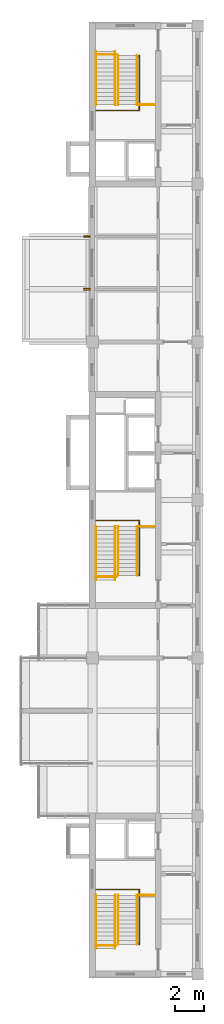
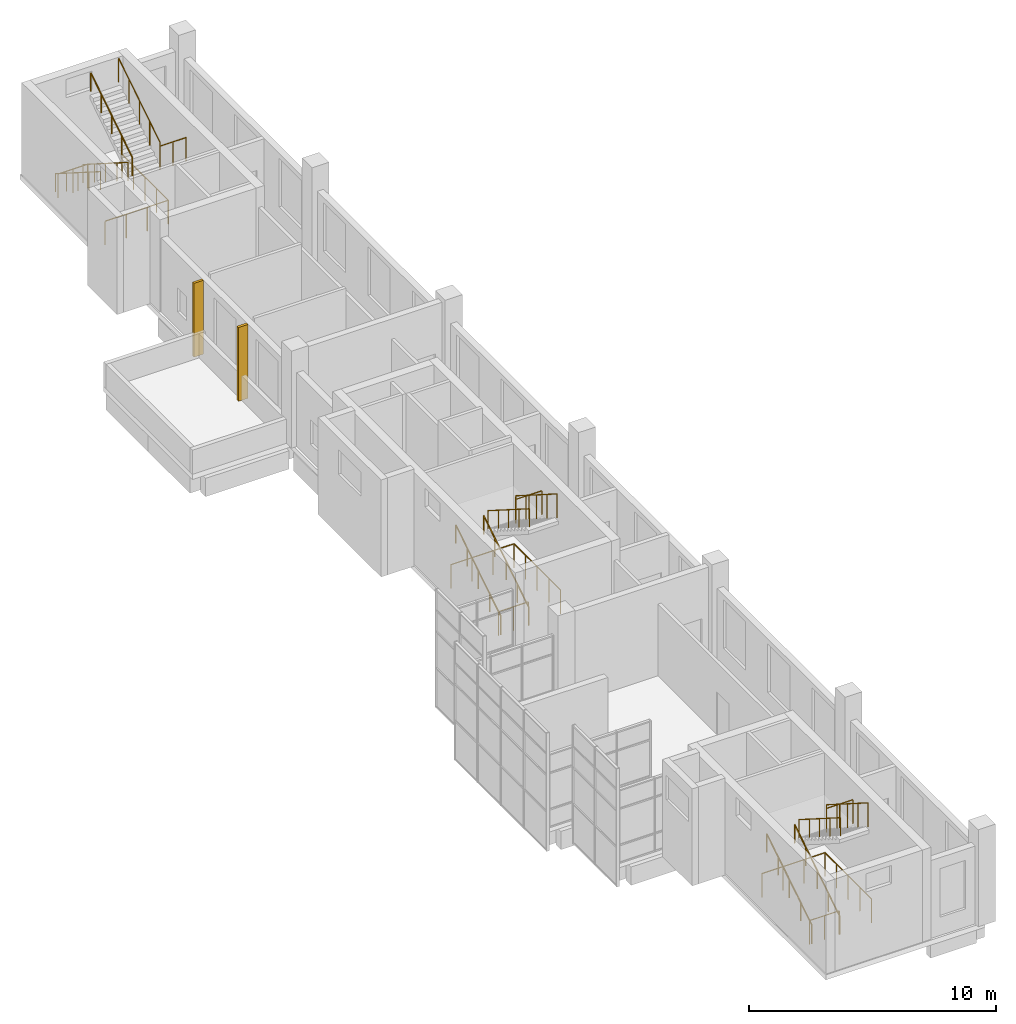
# One storey, part 9 of 9: 21 railings, 2 shading devices.
"""IFC4 building model written with IfcOpenShell, lengths in metres."""

from ifc_helpers import new_model, si_unit, direction, frame, origin, origin_2d, place, context, subcontext, project, spatial, rectangle, circle, extrude, material, type_object, element, save


model = new_model("IFC4")

# Units and contexts
model_context = context("Model", 3, precision=1e-05, world=origin(), true_north=direction((0.0, 1.0)))
body_context = subcontext(model_context, "Body", "Model", "MODEL_VIEW")
ifc_project = project(units=[si_unit("LENGTHUNIT", "METRE"), si_unit("AREAUNIT", "SQUARE_METRE"), si_unit("VOLUMEUNIT", "CUBIC_METRE"), si_unit("PLANEANGLEUNIT", "RADIAN"), si_unit("MASSUNIT", "GRAM", prefix="KILO")], contexts=[model_context])

# Site, building, storey
site_placement = place(None, origin())
site = spatial("IfcSite", under=ifc_project, at=site_placement, CompositionType="ELEMENT")
building_placement = place(site_placement, origin())
building = spatial("IfcBuilding", under=site, at=building_placement, Name="Basin Gate Institute", CompositionType="ELEMENT")
storey_placement = place(building_placement, frame((0.0, 0.0, 70.199951171875)))
storey = spatial("IfcBuildingStorey", under=building, at=storey_placement, Name="L14", CompositionType="ELEMENT", Elevation=70.199951171875)

# Shading devices
ifc_material_1 = material(Name="Anodised aluminium", Category="aluminium")
shading_device_type = type_object("IfcShadingDeviceType", Name="Brise-soleil fin FN1", PredefinedType="USERDEFINED", material=ifc_material_1)
for number, where, z_axis, x_axis, name in (
    (1, (60.824951171875, 81.89990234375, 0.0), (0.0, 0.0, 1.0), (1.0, 0.0, 0.0), "Brise-soleil fin FN1 W facade L14 line 14"),
    (2, (60.824951171875, 85.5, 0.0), (0.0, 0.0, 1.0), (1.0, 0.0, 0.0), "Brise-soleil fin FN1 W facade L14 line 15"),
):
    element("IfcShadingDevice", number, at=place(storey_placement, frame(where, z_axis=z_axis, x_axis=x_axis)), inside=storey, type_object=shading_device_type, material=ifc_material_1, Name=name, ObjectType="FIN", PredefinedType="USERDEFINED", context=body_context, shape_type="SweptSolid", body=[
        extrude(rectangle(XDim=0.449951171875, YDim=0.1201171875, at=origin_2d()), origin(), (0.0, 0.0, 1.0), 3.64990234375),
    ])

# Railings
ifc_material_2 = material(Name="Stainless steel", Category="steel")
railing_type_1 = type_object("IfcRailingType", Name="Stair guard GR2", PredefinedType="GUARDRAIL", material=ifc_material_2)
railing_1_placement = place(storey_placement, frame((64.39990234375, 37.1298828125, 0.0)))
element("IfcRailing", 3, at=railing_1_placement, inside=storey, type_object=railing_type_1, material=ifc_material_2, Name="Stair guard GR2 WS GD3-L13", PredefinedType="GUARDRAIL", context=body_context, shape_type="SweptSolid", body=[
    extrude(circle(Radius=0.02392578125, at=origin_2d()), frame((0.0, 0.0, 1.17578125), z_axis=(0.0, 1.0, 0.0), x_axis=(-1.0, 0.0, 0.0)), (0.0, 0.0, 1.0), 3.760009765625),
    extrude(circle(Radius=0.02392578125, at=origin_2d()), frame((0.0, 3.760009765625, 1.17578125), z_axis=(-1.0, 0.0, 0.0), x_axis=(0.0, -1.0, 0.0)), (0.0, 0.0, 1.0), 2.949951171875),
    extrude(circle(Radius=0.02099609375, at=origin_2d()), origin(), (0.0, 0.0, 1.0), 1.15185546875),
    extrude(circle(Radius=0.02099609375, at=origin_2d()), frame((0.0, 0.93994140625, 0.0)), (0.0, 0.0, 1.0), 1.15185546875),
    extrude(circle(Radius=0.02099609375, at=origin_2d()), frame((0.0, 1.8798828125, 0.0)), (0.0, 0.0, 1.0), 1.15185546875),
    extrude(circle(Radius=0.02099609375, at=origin_2d()), frame((0.0, 2.820068359375, 0.0)), (0.0, 0.0, 1.0), 1.15185546875),
    extrude(circle(Radius=0.02099609375, at=origin_2d()), frame((0.0, 3.760009765625, 0.0)), (0.0, 0.0, 1.0), 1.15185546875),
    extrude(circle(Radius=0.02099609375, at=origin_2d()), frame((-0.9833984375, 3.760009765625, 0.0)), (0.0, 0.0, 1.0), 1.15185546875),
    extrude(circle(Radius=0.02099609375, at=origin_2d()), frame((-1.966552734375, 3.760009765625, 0.0)), (0.0, 0.0, 1.0), 1.15185546875),
    extrude(circle(Radius=0.02099609375, at=origin_2d()), frame((-2.949951171875, 3.760009765625, 0.0)), (0.0, 0.0, 1.0), 1.15185546875),
])
railing_2_placement = place(storey_placement, frame((61.449951171875, 37.050048828125, 0.0)))
element("IfcRailing", 4, at=railing_2_placement, inside=storey, type_object=railing_type_1, material=ifc_material_2, Name="Stair guard GR2 WS GD4-L13", PredefinedType="GUARDRAIL", context=body_context, shape_type="SweptSolid", body=[
    extrude(circle(Radius=0.02392578125, at=origin_2d()), frame((0.0, 0.0, 1.17578125), z_axis=(1.0, 0.0, 0.0), x_axis=(0.0, 1.0, 0.0)), (0.0, 0.0, 1.0), 1.400146484375),
    extrude(circle(Radius=0.02099609375, at=origin_2d()), origin(), (0.0, 0.0, 1.0), 1.15185546875),
    extrude(circle(Radius=0.02099609375, at=origin_2d()), frame((0.7001953125, 0.0, 0.0)), (0.0, 0.0, 1.0), 1.15185546875),
    extrude(circle(Radius=0.02099609375, at=origin_2d()), frame((1.400146484375, 0.0, 0.0)), (0.0, 0.0, 1.0), 1.15185546875),
])
railing_3_placement = place(storey_placement, frame((64.39990234375, 62.330078125, 0.0)))
element("IfcRailing", 5, at=railing_3_placement, inside=storey, type_object=railing_type_1, material=ifc_material_2, Name="Stair guard GR2 WM GD3-L13", PredefinedType="GUARDRAIL", context=body_context, shape_type="SweptSolid", body=[
    extrude(circle(Radius=0.02392578125, at=origin_2d()), frame((0.0, 0.0, 1.17578125), z_axis=(0.0, 1.0, 0.0), x_axis=(-1.0, 0.0, 0.0)), (0.0, 0.0, 1.0), 3.760009765625),
    extrude(circle(Radius=0.02392578125, at=origin_2d()), frame((0.0, 3.760009765625, 1.17578125), z_axis=(-1.0, 0.0, 0.0), x_axis=(0.0, -1.0, 0.0)), (0.0, 0.0, 1.0), 2.949951171875),
    extrude(circle(Radius=0.02099609375, at=origin_2d()), origin(), (0.0, 0.0, 1.0), 1.15185546875),
    extrude(circle(Radius=0.02099609375, at=origin_2d()), frame((0.0, 0.93994140625, 0.0)), (0.0, 0.0, 1.0), 1.15185546875),
    extrude(circle(Radius=0.02099609375, at=origin_2d()), frame((0.0, 1.8798828125, 0.0)), (0.0, 0.0, 1.0), 1.15185546875),
    extrude(circle(Radius=0.02099609375, at=origin_2d()), frame((0.0, 2.820068359375, 0.0)), (0.0, 0.0, 1.0), 1.15185546875),
    extrude(circle(Radius=0.02099609375, at=origin_2d()), frame((0.0, 3.760009765625, 0.0)), (0.0, 0.0, 1.0), 1.15185546875),
    extrude(circle(Radius=0.02099609375, at=origin_2d()), frame((-0.9833984375, 3.760009765625, 0.0)), (0.0, 0.0, 1.0), 1.15185546875),
    extrude(circle(Radius=0.02099609375, at=origin_2d()), frame((-1.966552734375, 3.760009765625, 0.0)), (0.0, 0.0, 1.0), 1.15185546875),
    extrude(circle(Radius=0.02099609375, at=origin_2d()), frame((-2.949951171875, 3.760009765625, 0.0)), (0.0, 0.0, 1.0), 1.15185546875),
])
railing_4_placement = place(storey_placement, frame((61.449951171875, 62.25, 0.0)))
element("IfcRailing", 6, at=railing_4_placement, inside=storey, type_object=railing_type_1, material=ifc_material_2, Name="Stair guard GR2 WM GD4-L13", PredefinedType="GUARDRAIL", context=body_context, shape_type="SweptSolid", body=[
    extrude(circle(Radius=0.02392578125, at=origin_2d()), frame((0.0, 0.0, 1.17578125), z_axis=(1.0, 0.0, 0.0), x_axis=(0.0, 1.0, 0.0)), (0.0, 0.0, 1.0), 1.400146484375),
    extrude(circle(Radius=0.02099609375, at=origin_2d()), origin(), (0.0, 0.0, 1.0), 1.15185546875),
    extrude(circle(Radius=0.02099609375, at=origin_2d()), frame((0.7001953125, 0.0, 0.0)), (0.0, 0.0, 1.0), 1.15185546875),
    extrude(circle(Radius=0.02099609375, at=origin_2d()), frame((1.400146484375, 0.0, 0.0)), (0.0, 0.0, 1.0), 1.15185546875),
])
railing_5_placement = place(storey_placement, frame((64.39990234375, 97.8701171875, 0.0)))
element("IfcRailing", 7, at=railing_5_placement, inside=storey, type_object=railing_type_1, material=ifc_material_2, Name="Stair guard GR2 WN GD3-L13", PredefinedType="GUARDRAIL", context=body_context, shape_type="SweptSolid", body=[
    extrude(circle(Radius=0.02392578125, at=origin_2d()), frame((0.0, 0.0, 1.17578125), z_axis=(0.0, -1.0, 0.0), x_axis=(1.0, 0.0, 0.0)), (0.0, 0.0, 1.0), 3.760009765625),
    extrude(circle(Radius=0.02392578125, at=origin_2d()), frame((0.0, -3.760009765625, 1.17578125), z_axis=(-1.0, 0.0, 0.0), x_axis=(0.0, -1.0, 0.0)), (0.0, 0.0, 1.0), 2.949951171875),
    extrude(circle(Radius=0.02099609375, at=origin_2d()), origin(), (0.0, 0.0, 1.0), 1.15185546875),
    extrude(circle(Radius=0.02099609375, at=origin_2d()), frame((0.0, -0.93994140625, 0.0)), (0.0, 0.0, 1.0), 1.15185546875),
    extrude(circle(Radius=0.02099609375, at=origin_2d()), frame((0.0, -1.8798828125, 0.0)), (0.0, 0.0, 1.0), 1.15185546875),
    extrude(circle(Radius=0.02099609375, at=origin_2d()), frame((0.0, -2.820068359375, 0.0)), (0.0, 0.0, 1.0), 1.15185546875),
    extrude(circle(Radius=0.02099609375, at=origin_2d()), frame((0.0, -3.760009765625, 0.0)), (0.0, 0.0, 1.0), 1.15185546875),
    extrude(circle(Radius=0.02099609375, at=origin_2d()), frame((-0.9833984375, -3.760009765625, 0.0)), (0.0, 0.0, 1.0), 1.15185546875),
    extrude(circle(Radius=0.02099609375, at=origin_2d()), frame((-1.966552734375, -3.760009765625, 0.0)), (0.0, 0.0, 1.0), 1.15185546875),
    extrude(circle(Radius=0.02099609375, at=origin_2d()), frame((-2.949951171875, -3.760009765625, 0.0)), (0.0, 0.0, 1.0), 1.15185546875),
])
railing_6_placement = place(storey_placement, frame((61.449951171875, 97.949951171875, 0.0)))
element("IfcRailing", 8, at=railing_6_placement, inside=storey, type_object=railing_type_1, material=ifc_material_2, Name="Stair guard GR2 WN GD4-L13", PredefinedType="GUARDRAIL", context=body_context, shape_type="SweptSolid", body=[
    extrude(circle(Radius=0.02392578125, at=origin_2d()), frame((0.0, 0.0, 1.17578125), z_axis=(1.0, 0.0, 0.0), x_axis=(0.0, 1.0, 0.0)), (0.0, 0.0, 1.0), 1.400146484375),
    extrude(circle(Radius=0.02099609375, at=origin_2d()), origin(), (0.0, 0.0, 1.0), 1.15185546875),
    extrude(circle(Radius=0.02099609375, at=origin_2d()), frame((0.7001953125, 0.0, 0.0)), (0.0, 0.0, 1.0), 1.15185546875),
    extrude(circle(Radius=0.02099609375, at=origin_2d()), frame((1.400146484375, 0.0, 0.0)), (0.0, 0.0, 1.0), 1.15185546875),
])
railing_7_placement = place(storey_placement, frame((64.25, 40.489990234375, 2.666748046875)))
element("IfcRailing", 9, at=railing_7_placement, inside=storey, type_object=railing_type_1, material=ifc_material_2, Name="Stair guard GR2 WS GD1", PredefinedType="GUARDRAIL", context=body_context, shape_type="SweptSolid", body=[
    extrude(circle(Radius=0.02392578125, at=origin_2d()), frame((0.0, 0.0, 1.17578125), z_axis=(0.0, -0.844224270207, 0.535990094679), x_axis=(1.0, 0.0, 0.0)), (0.0, 0.0, 1.0), 3.980224609375),
    extrude(circle(Radius=0.02099609375, at=origin_2d()), origin(), (0.0, 0.0, 1.0), 1.15185546875),
    extrude(circle(Radius=0.02099609375, at=origin_2d()), frame((0.0, -0.840087890625, 0.533203125)), (0.0, 0.0, 1.0), 1.15185546875),
    extrude(circle(Radius=0.02099609375, at=origin_2d()), frame((0.0, -1.68017578125, 1.066650390625)), (0.0, 0.0, 1.0), 1.15185546875),
    extrude(circle(Radius=0.02099609375, at=origin_2d()), frame((0.0, -2.52001953125, 1.60009765625)), (0.0, 0.0, 1.0), 1.15185546875),
    extrude(circle(Radius=0.02099609375, at=origin_2d()), frame((0.0, -3.360107421875, 2.13330078125)), (0.0, 0.0, 1.0), 1.15185546875),
])
railing_8_placement = place(storey_placement, frame((64.25, 40.489990234375, 2.489013671875)))
element("IfcRailing", 10, at=railing_8_placement, inside=storey, type_object=railing_type_1, material=ifc_material_2, Name="Stair guard GR2 WS GD2", PredefinedType="GUARDRAIL", context=body_context, shape_type="SweptSolid", body=[
    extrude(circle(Radius=0.02392578125, at=origin_2d()), frame((0.0, 0.0, 1.17578125), z_axis=(1.0, 0.0, 0.0), x_axis=(0.0, 1.0, 0.0)), (0.0, 0.0, 1.0), 1.219970703125),
    extrude(circle(Radius=0.02099609375, at=origin_2d()), origin(), (0.0, 0.0, 1.0), 1.15185546875),
    extrude(circle(Radius=0.02099609375, at=origin_2d()), frame((0.60986328125, 0.0, 0.0)), (0.0, 0.0, 1.0), 1.15185546875),
    extrude(circle(Radius=0.02099609375, at=origin_2d()), frame((1.219970703125, 0.0, 0.0)), (0.0, 0.0, 1.0), 1.15185546875),
])
railing_9_placement = place(storey_placement, frame((64.25, 65.68994140625, 2.666748046875)))
element("IfcRailing", 11, at=railing_9_placement, inside=storey, type_object=railing_type_1, material=ifc_material_2, Name="Stair guard GR2 WM GD1", PredefinedType="GUARDRAIL", context=body_context, shape_type="SweptSolid", body=[
    extrude(circle(Radius=0.02392578125, at=origin_2d()), frame((0.0, 0.0, 1.17578125), z_axis=(0.0, -0.844206646714, 0.536017851983), x_axis=(1.0, 0.0, 0.0)), (0.0, 0.0, 1.0), 3.97998046875),
    extrude(circle(Radius=0.02099609375, at=origin_2d()), origin(), (0.0, 0.0, 1.0), 1.15185546875),
    extrude(circle(Radius=0.02099609375, at=origin_2d()), frame((0.0, -0.83984375, 0.533203125)), (0.0, 0.0, 1.0), 1.15185546875),
    extrude(circle(Radius=0.02099609375, at=origin_2d()), frame((0.0, -1.679931640625, 1.066650390625)), (0.0, 0.0, 1.0), 1.15185546875),
    extrude(circle(Radius=0.02099609375, at=origin_2d()), frame((0.0, -2.52001953125, 1.60009765625)), (0.0, 0.0, 1.0), 1.15185546875),
    extrude(circle(Radius=0.02099609375, at=origin_2d()), frame((0.0, -3.35986328125, 2.13330078125)), (0.0, 0.0, 1.0), 1.15185546875),
])
railing_10_placement = place(storey_placement, frame((64.25, 65.68994140625, 2.489013671875)))
element("IfcRailing", 12, at=railing_10_placement, inside=storey, type_object=railing_type_1, material=ifc_material_2, Name="Stair guard GR2 WM GD2", PredefinedType="GUARDRAIL", context=body_context, shape_type="SweptSolid", body=[
    extrude(circle(Radius=0.02392578125, at=origin_2d()), frame((0.0, 0.0, 1.17578125), z_axis=(1.0, 0.0, 0.0), x_axis=(0.0, 1.0, 0.0)), (0.0, 0.0, 1.0), 1.219970703125),
    extrude(circle(Radius=0.02099609375, at=origin_2d()), origin(), (0.0, 0.0, 1.0), 1.15185546875),
    extrude(circle(Radius=0.02099609375, at=origin_2d()), frame((0.60986328125, 0.0, 0.0)), (0.0, 0.0, 1.0), 1.15185546875),
    extrude(circle(Radius=0.02099609375, at=origin_2d()), frame((1.219970703125, 0.0, 0.0)), (0.0, 0.0, 1.0), 1.15185546875),
])
railing_11_placement = place(storey_placement, frame((64.25, 94.510009765625, 2.666748046875)))
element("IfcRailing", 13, at=railing_11_placement, inside=storey, type_object=railing_type_1, material=ifc_material_2, Name="Stair guard GR2 WN GD1", PredefinedType="GUARDRAIL", context=body_context, shape_type="SweptSolid", body=[
    extrude(circle(Radius=0.02392578125, at=origin_2d()), frame((0.0, 0.0, 1.17578125), z_axis=(0.0, 0.844224270207, 0.535990094679), x_axis=(-1.0, 0.0, 0.0)), (0.0, 0.0, 1.0), 3.980224609375),
    extrude(circle(Radius=0.02099609375, at=origin_2d()), origin(), (0.0, 0.0, 1.0), 1.15185546875),
    extrude(circle(Radius=0.02099609375, at=origin_2d()), frame((0.0, 0.840087890625, 0.533203125)), (0.0, 0.0, 1.0), 1.15185546875),
    extrude(circle(Radius=0.02099609375, at=origin_2d()), frame((0.0, 1.68017578125, 1.066650390625)), (0.0, 0.0, 1.0), 1.15185546875),
    extrude(circle(Radius=0.02099609375, at=origin_2d()), frame((0.0, 2.52001953125, 1.60009765625)), (0.0, 0.0, 1.0), 1.15185546875),
    extrude(circle(Radius=0.02099609375, at=origin_2d()), frame((0.0, 3.360107421875, 2.13330078125)), (0.0, 0.0, 1.0), 1.15185546875),
])
railing_12_placement = place(storey_placement, frame((64.25, 94.510009765625, 2.489013671875)))
element("IfcRailing", 14, at=railing_12_placement, inside=storey, type_object=railing_type_1, material=ifc_material_2, Name="Stair guard GR2 WN GD2", PredefinedType="GUARDRAIL", context=body_context, shape_type="SweptSolid", body=[
    extrude(circle(Radius=0.02392578125, at=origin_2d()), frame((0.0, 0.0, 1.17578125), z_axis=(1.0, 0.0, 0.0), x_axis=(0.0, 1.0, 0.0)), (0.0, 0.0, 1.0), 1.219970703125),
    extrude(circle(Radius=0.02099609375, at=origin_2d()), origin(), (0.0, 0.0, 1.0), 1.15185546875),
    extrude(circle(Radius=0.02099609375, at=origin_2d()), frame((0.60986328125, 0.0, 0.0)), (0.0, 0.0, 1.0), 1.15185546875),
    extrude(circle(Radius=0.02099609375, at=origin_2d()), frame((1.219970703125, 0.0, 0.0)), (0.0, 0.0, 1.0), 1.15185546875),
])
ifc_material_3 = material(Name="Stainless steel", Category="steel")
railing_type_2 = type_object("IfcRailingType", Name="Stair handrail HR1", PredefinedType="HANDRAIL", material=ifc_material_3)
for number, where, name in (
    (15, (61.449951171875, 36.85009765625, 0.177734375), "Stair handrail HR1 WS HR1"),
    (16, (62.75, 36.85009765625, 0.177734375), "Stair handrail HR1 WS HR2"),
):
    element("IfcRailing", number, at=place(storey_placement, frame(where)), inside=storey, type_object=railing_type_2, material=ifc_material_3, Name=name, PredefinedType="HANDRAIL", context=body_context, shape_type="SweptSolid", body=[
        extrude(circle(Radius=0.02392578125, at=origin_2d()), frame((0.0, 0.0, 0.89599609375), z_axis=(0.0, 0.844188005686, 0.536047209727), x_axis=(-1.0, 0.0, 0.0)), (0.0, 0.0, 1.0), 4.311767578125),
        extrude(circle(Radius=0.02099609375, at=origin_2d()), origin(), (0.0, 0.0, 1.0), 0.871826171875),
        extrude(circle(Radius=0.02099609375, at=origin_2d()), frame((0.0, 0.909912109375, 0.577880859375)), (0.0, 0.0, 1.0), 0.871826171875),
        extrude(circle(Radius=0.02099609375, at=origin_2d()), frame((0.0, 1.81982421875, 1.15576171875)), (0.0, 0.0, 1.0), 0.871826171875),
        extrude(circle(Radius=0.02099609375, at=origin_2d()), frame((0.0, 2.72998046875, 1.7333984375)), (0.0, 0.0, 1.0), 0.871826171875),
        extrude(circle(Radius=0.02099609375, at=origin_2d()), frame((0.0, 3.639892578125, 2.311279296875)), (0.0, 0.0, 1.0), 0.871826171875),
    ])
railing_13_placement = place(storey_placement, frame((62.949951171875, 40.489990234375, 2.666748046875)))
element("IfcRailing", 17, at=railing_13_placement, inside=storey, type_object=railing_type_2, material=ifc_material_3, Name="Stair handrail HR1 WS HR3", PredefinedType="HANDRAIL", context=body_context, shape_type="SweptSolid", body=[
    extrude(circle(Radius=0.02392578125, at=origin_2d()), frame((0.0, 0.0, 0.89599609375), z_axis=(0.0, -0.844224270207, 0.535990094679), x_axis=(1.0, 0.0, 0.0)), (0.0, 0.0, 1.0), 3.980224609375),
    extrude(circle(Radius=0.02099609375, at=origin_2d()), origin(), (0.0, 0.0, 1.0), 0.871826171875),
    extrude(circle(Radius=0.02099609375, at=origin_2d()), frame((0.0, -0.840087890625, 0.533203125)), (0.0, 0.0, 1.0), 0.871826171875),
    extrude(circle(Radius=0.02099609375, at=origin_2d()), frame((0.0, -1.68017578125, 1.066650390625)), (0.0, 0.0, 1.0), 0.871826171875),
    extrude(circle(Radius=0.02099609375, at=origin_2d()), frame((0.0, -2.52001953125, 1.60009765625)), (0.0, 0.0, 1.0), 0.871826171875),
    extrude(circle(Radius=0.02099609375, at=origin_2d()), frame((0.0, -3.360107421875, 2.13330078125)), (0.0, 0.0, 1.0), 0.871826171875),
])
for number, where, name in (
    (18, (61.449951171875, 62.050048828125, 0.177734375), "Stair handrail HR1 WM HR1"),
    (19, (62.75, 62.050048828125, 0.177734375), "Stair handrail HR1 WM HR2"),
):
    element("IfcRailing", number, at=place(storey_placement, frame(where)), inside=storey, type_object=railing_type_2, material=ifc_material_3, Name=name, PredefinedType="HANDRAIL", context=body_context, shape_type="SweptSolid", body=[
        extrude(circle(Radius=0.02392578125, at=origin_2d()), frame((0.0, 0.0, 0.89599609375), z_axis=(0.0, 0.844188005686, 0.536047209727), x_axis=(-1.0, 0.0, 0.0)), (0.0, 0.0, 1.0), 4.311767578125),
        extrude(circle(Radius=0.02099609375, at=origin_2d()), origin(), (0.0, 0.0, 1.0), 0.871826171875),
        extrude(circle(Radius=0.02099609375, at=origin_2d()), frame((0.0, 0.909912109375, 0.577880859375)), (0.0, 0.0, 1.0), 0.871826171875),
        extrude(circle(Radius=0.02099609375, at=origin_2d()), frame((0.0, 1.81982421875, 1.15576171875)), (0.0, 0.0, 1.0), 0.871826171875),
        extrude(circle(Radius=0.02099609375, at=origin_2d()), frame((0.0, 2.72998046875, 1.7333984375)), (0.0, 0.0, 1.0), 0.871826171875),
        extrude(circle(Radius=0.02099609375, at=origin_2d()), frame((0.0, 3.639892578125, 2.311279296875)), (0.0, 0.0, 1.0), 0.871826171875),
    ])
railing_14_placement = place(storey_placement, frame((62.949951171875, 65.68994140625, 2.666748046875)))
element("IfcRailing", 20, at=railing_14_placement, inside=storey, type_object=railing_type_2, material=ifc_material_3, Name="Stair handrail HR1 WM HR3", PredefinedType="HANDRAIL", context=body_context, shape_type="SweptSolid", body=[
    extrude(circle(Radius=0.02392578125, at=origin_2d()), frame((0.0, 0.0, 0.89599609375), z_axis=(0.0, -0.844206646714, 0.536017851983), x_axis=(1.0, 0.0, 0.0)), (0.0, 0.0, 1.0), 3.97998046875),
    extrude(circle(Radius=0.02099609375, at=origin_2d()), origin(), (0.0, 0.0, 1.0), 0.871826171875),
    extrude(circle(Radius=0.02099609375, at=origin_2d()), frame((0.0, -0.83984375, 0.533203125)), (0.0, 0.0, 1.0), 0.871826171875),
    extrude(circle(Radius=0.02099609375, at=origin_2d()), frame((0.0, -1.679931640625, 1.066650390625)), (0.0, 0.0, 1.0), 0.871826171875),
    extrude(circle(Radius=0.02099609375, at=origin_2d()), frame((0.0, -2.52001953125, 1.60009765625)), (0.0, 0.0, 1.0), 0.871826171875),
    extrude(circle(Radius=0.02099609375, at=origin_2d()), frame((0.0, -3.35986328125, 2.13330078125)), (0.0, 0.0, 1.0), 0.871826171875),
])
for number, where, name in (
    (21, (61.449951171875, 98.14990234375, 0.177734375), "Stair handrail HR1 WN HR1"),
    (22, (62.75, 98.14990234375, 0.177734375), "Stair handrail HR1 WN HR2"),
):
    element("IfcRailing", number, at=place(storey_placement, frame(where)), inside=storey, type_object=railing_type_2, material=ifc_material_3, Name=name, PredefinedType="HANDRAIL", context=body_context, shape_type="SweptSolid", body=[
        extrude(circle(Radius=0.02392578125, at=origin_2d()), frame((0.0, 0.0, 0.89599609375), z_axis=(0.0, -0.844188005686, 0.536047209727), x_axis=(1.0, 0.0, 0.0)), (0.0, 0.0, 1.0), 4.311767578125),
        extrude(circle(Radius=0.02099609375, at=origin_2d()), origin(), (0.0, 0.0, 1.0), 0.871826171875),
        extrude(circle(Radius=0.02099609375, at=origin_2d()), frame((0.0, -0.909912109375, 0.577880859375)), (0.0, 0.0, 1.0), 0.871826171875),
        extrude(circle(Radius=0.02099609375, at=origin_2d()), frame((0.0, -1.81982421875, 1.15576171875)), (0.0, 0.0, 1.0), 0.871826171875),
        extrude(circle(Radius=0.02099609375, at=origin_2d()), frame((0.0, -2.72998046875, 1.7333984375)), (0.0, 0.0, 1.0), 0.871826171875),
        extrude(circle(Radius=0.02099609375, at=origin_2d()), frame((0.0, -3.639892578125, 2.311279296875)), (0.0, 0.0, 1.0), 0.871826171875),
    ])
railing_15_placement = place(storey_placement, frame((62.949951171875, 94.510009765625, 2.666748046875)))
element("IfcRailing", 23, at=railing_15_placement, inside=storey, type_object=railing_type_2, material=ifc_material_3, Name="Stair handrail HR1 WN HR3", PredefinedType="HANDRAIL", context=body_context, shape_type="SweptSolid", body=[
    extrude(circle(Radius=0.02392578125, at=origin_2d()), frame((0.0, 0.0, 0.89599609375), z_axis=(0.0, 0.844224270207, 0.535990094679), x_axis=(-1.0, 0.0, 0.0)), (0.0, 0.0, 1.0), 3.980224609375),
    extrude(circle(Radius=0.02099609375, at=origin_2d()), origin(), (0.0, 0.0, 1.0), 0.871826171875),
    extrude(circle(Radius=0.02099609375, at=origin_2d()), frame((0.0, 0.840087890625, 0.533203125)), (0.0, 0.0, 1.0), 0.871826171875),
    extrude(circle(Radius=0.02099609375, at=origin_2d()), frame((0.0, 1.68017578125, 1.066650390625)), (0.0, 0.0, 1.0), 0.871826171875),
    extrude(circle(Radius=0.02099609375, at=origin_2d()), frame((0.0, 2.52001953125, 1.60009765625)), (0.0, 0.0, 1.0), 0.871826171875),
    extrude(circle(Radius=0.02099609375, at=origin_2d()), frame((0.0, 3.360107421875, 2.13330078125)), (0.0, 0.0, 1.0), 0.871826171875),
])

save(model, "model.ifc")
